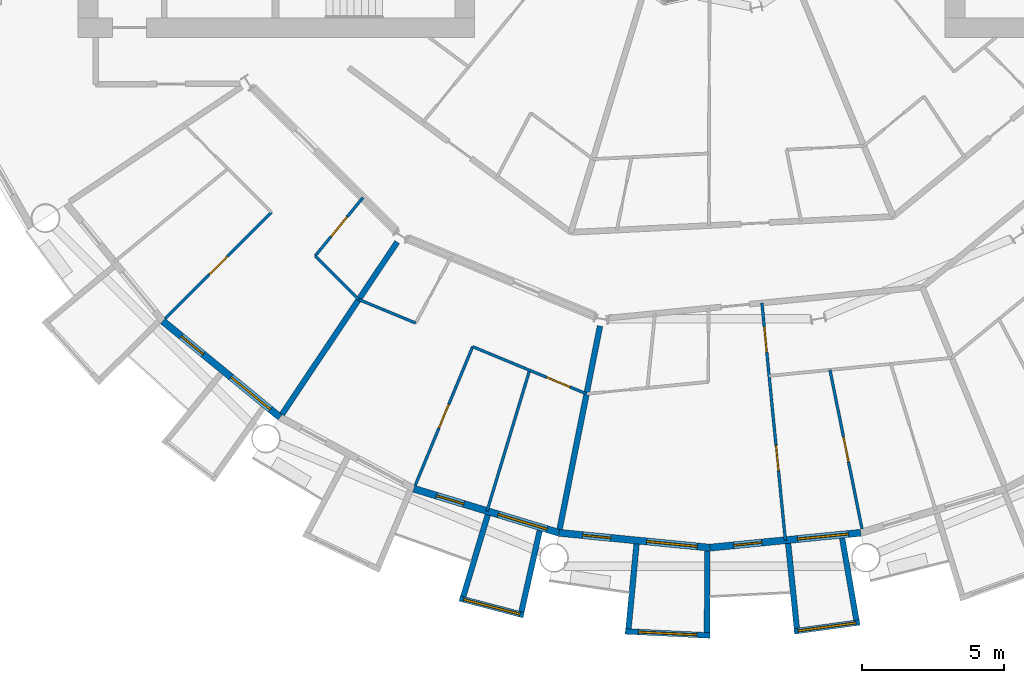
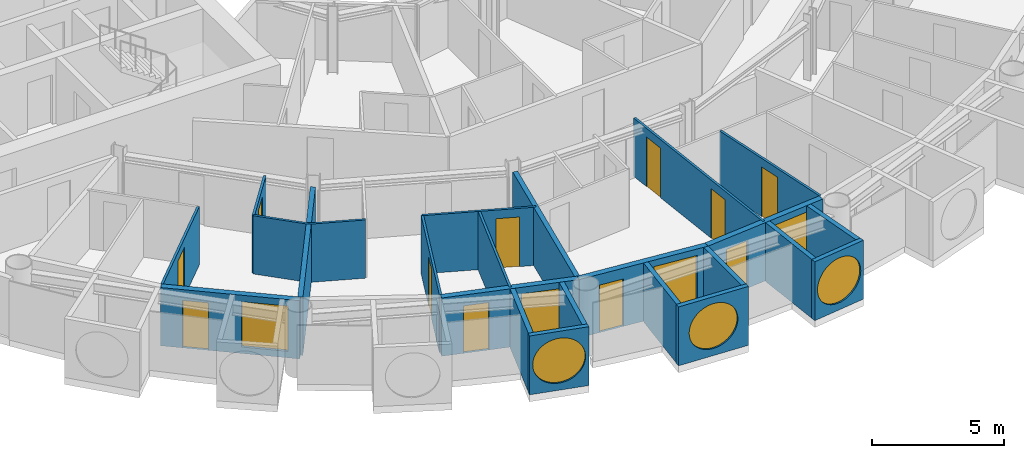
# One storey, part 13 of 26: 24 walls, 11 doors, 7 windows, 18 openings.
"""IFC4 building model written with IfcOpenShell, lengths in metres."""

from ifc_helpers import new_model, si_unit, direction, frame, frame_2d, origin, place, context, subcontext, project, spatial, rectangle, circle, extrude, material, layer, layer_set, type_object, element, fill, save


model = new_model("IFC4")

# Units and contexts
model_context = context("Model", 3, precision=1e-05, world=origin(), true_north=direction((0.0, 1.0)))
body_context = subcontext(model_context, "Body", "Model", "MODEL_VIEW")
ifc_project = project(units=[si_unit("LENGTHUNIT", "METRE"), si_unit("AREAUNIT", "SQUARE_METRE"), si_unit("VOLUMEUNIT", "CUBIC_METRE"), si_unit("PLANEANGLEUNIT", "RADIAN"), si_unit("MASSUNIT", "GRAM", prefix="KILO")], contexts=[model_context])

# Site, building, storey
site_placement = place(None, origin())
site = spatial("IfcSite", under=ifc_project, at=site_placement, CompositionType="ELEMENT")
building_placement = place(site_placement, origin())
building = spatial("IfcBuilding", under=site, at=building_placement, Name="Maasbend Ring Residences", CompositionType="ELEMENT")
storey_placement = place(building_placement, frame((0.0, 0.0, 66.64990234375)))
storey = spatial("IfcBuildingStorey", under=building, at=storey_placement, Name="L18", CompositionType="ELEMENT", Elevation=66.64990234375)

# Wall, opening, window
ifc_material_1 = material(Name="Pale anodised aluminium panel", Category="aluminium")
ifc_layer_1 = layer(ifc_material_1, 0.199951171875)
ifc_layer_set_1 = layer_set([ifc_layer_1], Name="EW-BOX")
wall_type_1 = type_object("IfcWallType", Name="EW-BOX", PredefinedType="SOLIDWALL", material=ifc_layer_set_1)
wall_1_placement = place(storey_placement, frame((-8.827880859375, -29.090087890625, -0.02978515625), z_axis=(0.0, 0.0, 1.0), x_axis=(0.967377102346, -0.253340762326, 0.0)))
wall_1 = element("IfcWall", 1, at=wall_1_placement, inside=storey, type_object=wall_type_1, Name="Box front S08", PredefinedType="SOLIDWALL", context=body_context, shape_type="SweptSolid", body=[
    extrude(rectangle(XDim=2.3359375, YDim=0.199951171875, at=frame_2d((1.16796875, 0.0))), origin(), (0.0, 0.0, 1.0), 2.72998046875),
])
opening_1_placement = place(wall_1_placement, frame((0.128173828125, 0.0, 0.330078125)))
opening_1 = element("IfcOpeningElement", 2, at=opening_1_placement, cuts=wall_1, Name="Opening W-RD", PredefinedType="OPENING", context=body_context, shape_type="SweptSolid", body=[
    extrude(circle(Radius=1.0400390625, at=frame_2d((1.0400390625, 1.0400390625))), frame((0.0, 0.10986328125, 0.0), z_axis=(0.0, -1.0, 0.0), x_axis=(1.0, 0.0, 0.0)), (0.0, 0.0, 1.0), 0.219970703125),
])
ifc_material_2 = material(Name="Aluminium and clear glass", Category="aluminium")
window_type_1 = type_object("IfcWindowType", Name="W-RD", PartitioningType="SINGLE_PANEL", PredefinedType="WINDOW", material=ifc_material_2)
window_1_placement = place(opening_1_placement, origin())
window_1 = element("IfcWindow", 3, at=window_1_placement, inside=storey, type_object=window_type_1, Name="Round window S08", OverallHeight=2.080078125, OverallWidth=2.080078125, PartitioningType="SINGLE_PANEL", PredefinedType="WINDOW", context=body_context, shape_type="SweptSolid", body=[
    extrude(circle(Radius=1.0400390625, at=frame_2d((1.0400390625, 1.0400390625))), frame((0.0, 0.030029296875, 0.0), z_axis=(0.0, -1.0, 0.0), x_axis=(1.0, 0.0, 0.0)), (0.0, 0.0, 1.0), 0.06005859375),
])
fill(opening_1, window_1)

# Walls
wall_2_placement = place(storey_placement, frame((-7.8369140625, -26.14404296875, -0.02978515625), z_axis=(0.0, 0.0, 1.0), x_axis=(-0.287064767992, -0.957911174889, 0.0)))
element("IfcWall", 4, at=wall_2_placement, inside=storey, type_object=wall_type_1, Name="Box side wall S08 left", PredefinedType="SOLIDWALL", context=body_context, shape_type="SweptSolid", body=[
    extrude(rectangle(XDim=3.00634765625, YDim=0.199951171875, at=frame_2d((1.503173828125, 0.0))), origin(), (0.0, 0.0, 1.0), 2.72998046875),
])
wall_3_placement = place(storey_placement, frame((-6.00390625, -26.699951171875, -0.02978515625), z_axis=(0.0, 0.0, 1.0), x_axis=(-0.219609259383, -0.975587911566, 0.0)))
element("IfcWall", 5, at=wall_3_placement, inside=storey, type_object=wall_type_1, Name="Box side wall S08 right", PredefinedType="SOLIDWALL", context=body_context, shape_type="SweptSolid", body=[
    extrude(rectangle(XDim=2.9326171875, YDim=0.199951171875, at=frame_2d((1.46630859375, 0.0))), origin(), (0.0, 0.0, 1.0), 2.72998046875),
])

# Wall, opening, window
wall_4_placement = place(storey_placement, frame((-2.985107421875, -30.2529296875, -0.02978515625), z_axis=(0.0, 0.0, 1.0), x_axis=(0.998794083011, -0.049095618353, 0.0)))
wall_4 = element("IfcWall", 6, at=wall_4_placement, inside=storey, type_object=wall_type_1, Name="Box front S10", PredefinedType="SOLIDWALL", context=body_context, shape_type="SweptSolid", body=[
    extrude(rectangle(XDim=2.99365234375, YDim=0.199951171875, at=frame_2d((1.496826171875, 0.0))), origin(), (0.0, 0.0, 1.0), 2.72998046875),
])
opening_2_placement = place(wall_4_placement, frame((0.45654296875, 0.0, 0.330078125)))
opening_2 = element("IfcOpeningElement", 7, at=opening_2_placement, cuts=wall_4, Name="Opening W-RD", PredefinedType="OPENING", context=body_context, shape_type="SweptSolid", body=[
    extrude(circle(Radius=1.0400390625, at=frame_2d((1.0400390625, 1.0400390625))), frame((0.0, 0.10986328125, 0.0), z_axis=(0.0, -1.0, 0.0), x_axis=(1.0, 0.0, 0.0)), (0.0, 0.0, 1.0), 0.219970703125),
])
window_2_placement = place(opening_2_placement, origin())
window_2 = element("IfcWindow", 8, at=window_2_placement, inside=storey, type_object=window_type_1, Name="Round window S10", OverallHeight=2.080078125, OverallWidth=2.080078125, PartitioningType="SINGLE_PANEL", PredefinedType="WINDOW", context=body_context, shape_type="SweptSolid", body=[
    extrude(circle(Radius=1.0400390625, at=frame_2d((1.0400390625, 1.0400390625))), frame((0.0, 0.030029296875, 0.0), z_axis=(0.0, -1.0, 0.0), x_axis=(1.0, 0.0, 0.0)), (0.0, 0.0, 1.0), 0.06005859375),
])
fill(opening_2, window_2)

# Walls
wall_5_placement = place(storey_placement, frame((-2.5859375, -27.1708984375, -0.02978515625), z_axis=(0.0, 0.0, 1.0), x_axis=(-0.094548432284, -0.995520262954, 0.0)))
element("IfcWall", 9, at=wall_5_placement, inside=storey, type_object=wall_type_1, Name="Box side wall S10 left", PredefinedType="SOLIDWALL", context=body_context, shape_type="SweptSolid", body=[
    extrude(rectangle(XDim=3.005615234375, YDim=0.199951171875, at=frame_2d((1.5029296875, 0.0))), origin(), (0.0, 0.0, 1.0), 2.72998046875),
])
wall_6_placement = place(storey_placement, frame((-0.090087890625, -27.4169921875, -0.02978515625), z_axis=(0.0, 0.0, 1.0), x_axis=(-0.00347308367, -0.999993968827, 0.0)))
element("IfcWall", 10, at=wall_6_placement, inside=storey, type_object=wall_type_1, Name="Box side wall S10 right", PredefinedType="SOLIDWALL", context=body_context, shape_type="SweptSolid", body=[
    extrude(rectangle(XDim=2.882080078125, YDim=0.199951171875, at=frame_2d((1.44091796875, 0.0))), origin(), (0.0, 0.0, 1.0), 2.72998046875),
])

# Wall, opening, window
wall_7_placement = place(storey_placement, frame((2.97607421875, -30.25390625, -0.02978515625), z_axis=(0.0, 0.0, 1.0), x_axis=(0.990696111261, 0.136092671119, 0.0)))
wall_7 = element("IfcWall", 11, at=wall_7_placement, inside=storey, type_object=wall_type_1, Name="Box front S12", PredefinedType="SOLIDWALL", context=body_context, shape_type="SweptSolid", body=[
    extrude(rectangle(XDim=2.335693359375, YDim=0.199951171875, at=frame_2d((1.16796875, 0.0))), origin(), (0.0, 0.0, 1.0), 2.72998046875),
])
opening_3_placement = place(wall_7_placement, frame((0.128173828125, 0.0, 0.330078125)))
opening_3 = element("IfcOpeningElement", 12, at=opening_3_placement, cuts=wall_7, Name="Opening W-RD", PredefinedType="OPENING", context=body_context, shape_type="SweptSolid", body=[
    extrude(circle(Radius=1.0400390625, at=frame_2d((1.0400390625, 1.0400390625))), frame((0.0, 0.10986328125, 0.0), z_axis=(0.0, -1.0, 0.0), x_axis=(1.0, 0.0, 0.0)), (0.0, 0.0, 1.0), 0.219970703125),
])
window_3_placement = place(opening_3_placement, origin())
window_3 = element("IfcWindow", 13, at=window_3_placement, inside=storey, type_object=window_type_1, Name="Round window S12", OverallHeight=2.080078125, OverallWidth=2.080078125, PartitioningType="SINGLE_PANEL", PredefinedType="WINDOW", context=body_context, shape_type="SweptSolid", body=[
    extrude(circle(Radius=1.0400390625, at=frame_2d((1.0400390625, 1.0400390625))), frame((0.0, 0.030029296875, 0.0), z_axis=(0.0, -1.0, 0.0), x_axis=(1.0, 0.0, 0.0)), (0.0, 0.0, 1.0), 0.06005859375),
])
fill(opening_3, window_3)

# Walls
wall_8_placement = place(storey_placement, frame((2.763916015625, -27.153076171875, -0.02978515625), z_axis=(0.0, 0.0, 1.0), x_axis=(0.101505487237, -0.994834979311, 0.0)))
element("IfcWall", 14, at=wall_8_placement, inside=storey, type_object=wall_type_1, Name="Box side wall S12 left", PredefinedType="SOLIDWALL", context=body_context, shape_type="SweptSolid", body=[
    extrude(rectangle(XDim=3.006591796875, YDim=0.199951171875, at=frame_2d((1.50341796875, 0.0))), origin(), (0.0, 0.0, 1.0), 2.72998046875),
])
wall_9_placement = place(storey_placement, frame((4.6708984375, -26.966064453125, -0.02978515625), z_axis=(0.0, 0.0, 1.0), x_axis=(0.170539878907, -0.985350774954, 0.0)))
element("IfcWall", 15, at=wall_9_placement, inside=storey, type_object=wall_type_1, Name="Box side wall S12 right", PredefinedType="SOLIDWALL", context=body_context, shape_type="SweptSolid", body=[
    extrude(rectangle(XDim=2.931884765625, YDim=0.199951171875, at=frame_2d((1.4658203125, 0.0))), origin(), (0.0, 0.0, 1.0), 2.72998046875),
])

# Wall, openings, door, window
ifc_material_3 = material(Name="Aluminium clad insulated panel", Category="aluminium")
ifc_layer_2 = layer(ifc_material_3, 0.25)
ifc_layer_set_2 = layer_set([ifc_layer_2], Name="EW-GL")
wall_type_2 = type_object("IfcWallType", Name="EW-GL", PredefinedType="SOLIDWALL", material=ifc_layer_set_2)
wall_10_placement = place(storey_placement, frame((-19.303955078125, -19.303955078125, 0.0), z_axis=(0.0, 0.0, 1.0), x_axis=(0.773019449054, -0.634382322723, 0.0)))
wall_10 = element("IfcWall", 16, at=wall_10_placement, inside=storey, type_object=wall_type_2, Name="External wall S02", PredefinedType="SOLIDWALL", context=body_context, shape_type="SweptSolid", body=[
    extrude(rectangle(XDim=5.351806640625, YDim=0.25, at=frame_2d((2.67578125, 0.0))), origin(), (0.0, 0.0, 1.0), 2.7001953125),
])
opening_4_placement = place(wall_10_placement, frame((0.841064453125, 0.0, 0.0)))
opening_4 = element("IfcOpeningElement", 17, at=opening_4_placement, cuts=wall_10, Name="Opening D-LG", PredefinedType="OPENING", context=body_context, shape_type="SweptSolid", body=[
    extrude(rectangle(XDim=1.0, YDim=2.199951171875, at=frame_2d((0.5, 1.10009765625))), frame((0.0, 0.135009765625, 0.0), z_axis=(0.0, -1.0, 0.0), x_axis=(1.0, 0.0, 0.0)), (0.0, 0.0, 1.0), 0.27001953125),
])
opening_5_placement = place(wall_10_placement, frame((3.110595703125, 0.0, 0.300048828125)))
opening_5 = element("IfcOpeningElement", 18, at=opening_5_placement, cuts=wall_10, Name="Opening W-BX", PredefinedType="OPENING", context=body_context, shape_type="SweptSolid", body=[
    extrude(rectangle(XDim=1.800048828125, YDim=2.10009765625, at=frame_2d((0.89990234375, 1.050048828125))), frame((0.0, 0.135009765625, 0.0), z_axis=(0.0, -1.0, 0.0), x_axis=(1.0, 0.0, 0.0)), (0.0, 0.0, 1.0), 0.27001953125),
])
ifc_material_4 = material(Name="Aluminium and clear glass", Category="aluminium")
door_type_1 = type_object("IfcDoorType", Name="D-LG", OperationType="SINGLE_SWING_LEFT", PredefinedType="DOOR", material=ifc_material_4)
door_1_placement = place(opening_4_placement, origin())
door_1 = element("IfcDoor", 19, at=door_1_placement, inside=storey, type_object=door_type_1, Name="Loggia door S03", OperationType="SINGLE_SWING_LEFT", OverallHeight=2.199951171875, OverallWidth=1.0, PredefinedType="DOOR", context=body_context, shape_type="SweptSolid", body=[
    extrude(rectangle(XDim=1.0, YDim=2.199951171875, at=frame_2d((0.5, 1.10009765625))), frame((0.0, 0.02490234375, 0.0), z_axis=(0.0, -1.0, 0.0), x_axis=(1.0, 0.0, 0.0)), (0.0, 0.0, 1.0), 0.050048828125),
])
fill(opening_4, door_1)
ifc_material_5 = material(Name="Aluminium and clear glass", Category="aluminium")
window_type_2 = type_object("IfcWindowType", Name="W-BX", PartitioningType="DOUBLE_PANEL_VERTICAL", PredefinedType="WINDOW", material=ifc_material_5)
window_4_placement = place(opening_5_placement, origin())
window_4 = element("IfcWindow", 20, at=window_4_placement, inside=storey, type_object=window_type_2, Name="Window S04 room to box", OverallHeight=2.10009765625, OverallWidth=1.800048828125, PartitioningType="SINGLE_PANEL", PredefinedType="WINDOW", context=body_context, shape_type="SweptSolid", body=[
    extrude(rectangle(XDim=1.800048828125, YDim=2.10009765625, at=frame_2d((0.89990234375, 1.050048828125))), frame((0.0, 0.030029296875, 0.0), z_axis=(0.0, -1.0, 0.0), x_axis=(1.0, 0.0, 0.0)), (0.0, 0.0, 1.0), 0.06005859375),
])
fill(opening_5, window_4)

wall_11_placement = place(storey_placement, frame((-10.447021484375, -25.221923828125, 0.0), z_axis=(0.0, 0.0, 1.0), x_axis=(0.956965678721, -0.290201119486, 0.0)))
wall_11 = element("IfcWall", 21, at=wall_11_placement, inside=storey, type_object=wall_type_2, Name="External wall S04", PredefinedType="SOLIDWALL", context=body_context, shape_type="SweptSolid", body=[
    extrude(rectangle(XDim=5.351318359375, YDim=0.25, at=frame_2d((2.67578125, 0.0))), origin(), (0.0, 0.0, 1.0), 2.7001953125),
])
opening_6_placement = place(wall_11_placement, frame((0.841064453125, 0.0, 0.0)))
opening_6 = element("IfcOpeningElement", 22, at=opening_6_placement, cuts=wall_11, Name="Opening D-LG", PredefinedType="OPENING", context=body_context, shape_type="SweptSolid", body=[
    extrude(rectangle(XDim=1.0, YDim=2.199951171875, at=frame_2d((0.5, 1.10009765625))), frame((0.0, 0.135009765625, 0.0), z_axis=(0.0, -1.0, 0.0), x_axis=(1.0, 0.0, 0.0)), (0.0, 0.0, 1.0), 0.27001953125),
])
opening_7_placement = place(wall_11_placement, frame((3.110595703125, 0.0, 0.300048828125)))
opening_7 = element("IfcOpeningElement", 23, at=opening_7_placement, cuts=wall_11, Name="Opening W-BX", PredefinedType="OPENING", context=body_context, shape_type="SweptSolid", body=[
    extrude(rectangle(XDim=1.800048828125, YDim=2.10009765625, at=frame_2d((0.89990234375, 1.050048828125))), frame((0.0, 0.135009765625, 0.0), z_axis=(0.0, -1.0, 0.0), x_axis=(1.0, 0.0, 0.0)), (0.0, 0.0, 1.0), 0.27001953125),
])
door_2_placement = place(opening_6_placement, origin())
door_2 = element("IfcDoor", 24, at=door_2_placement, inside=storey, type_object=door_type_1, Name="Loggia door S07", OperationType="SINGLE_SWING_LEFT", OverallHeight=2.199951171875, OverallWidth=1.0, PredefinedType="DOOR", context=body_context, shape_type="SweptSolid", body=[
    extrude(rectangle(XDim=1.0, YDim=2.199951171875, at=frame_2d((0.5, 1.10009765625))), frame((0.0, 0.02490234375, 0.0), z_axis=(0.0, -1.0, 0.0), x_axis=(1.0, 0.0, 0.0)), (0.0, 0.0, 1.0), 0.050048828125),
])
fill(opening_6, door_2)
window_5_placement = place(opening_7_placement, origin())
window_5 = element("IfcWindow", 25, at=window_5_placement, inside=storey, type_object=window_type_2, Name="Window S08 room to box", OverallHeight=2.10009765625, OverallWidth=1.800048828125, PartitioningType="SINGLE_PANEL", PredefinedType="WINDOW", context=body_context, shape_type="SweptSolid", body=[
    extrude(rectangle(XDim=1.800048828125, YDim=2.10009765625, at=frame_2d((0.89990234375, 1.050048828125))), frame((0.0, 0.030029296875, 0.0), z_axis=(0.0, -1.0, 0.0), x_axis=(1.0, 0.0, 0.0)), (0.0, 0.0, 1.0), 0.06005859375),
])
fill(opening_7, window_5)

wall_12_placement = place(storey_placement, frame((-5.325927734375, -26.77490234375, 0.0), z_axis=(0.0, 0.0, 1.0), x_axis=(0.995173996315, -0.098126026407, 0.0)))
wall_12 = element("IfcWall", 26, at=wall_12_placement, inside=storey, type_object=wall_type_2, Name="External wall S05", PredefinedType="SOLIDWALL", context=body_context, shape_type="SweptSolid", body=[
    extrude(rectangle(XDim=5.351806640625, YDim=0.25, at=frame_2d((2.67578125, 0.0))), origin(), (0.0, 0.0, 1.0), 2.7001953125),
])
opening_8_placement = place(wall_12_placement, frame((0.841064453125, 0.0, 0.0)))
opening_8 = element("IfcOpeningElement", 27, at=opening_8_placement, cuts=wall_12, Name="Opening D-LG", PredefinedType="OPENING", context=body_context, shape_type="SweptSolid", body=[
    extrude(rectangle(XDim=1.0, YDim=2.199951171875, at=frame_2d((0.5, 1.10009765625))), frame((0.0, 0.135009765625, 0.0), z_axis=(0.0, -1.0, 0.0), x_axis=(1.0, 0.0, 0.0)), (0.0, 0.0, 1.0), 0.27001953125),
])
opening_9_placement = place(wall_12_placement, frame((3.110595703125, 0.0, 0.300048828125)))
opening_9 = element("IfcOpeningElement", 28, at=opening_9_placement, cuts=wall_12, Name="Opening W-BX", PredefinedType="OPENING", context=body_context, shape_type="SweptSolid", body=[
    extrude(rectangle(XDim=1.800048828125, YDim=2.10009765625, at=frame_2d((0.89990234375, 1.050048828125))), frame((0.0, 0.135009765625, 0.0), z_axis=(0.0, -1.0, 0.0), x_axis=(1.0, 0.0, 0.0)), (0.0, 0.0, 1.0), 0.27001953125),
])
door_3_placement = place(opening_8_placement, origin())
door_3 = element("IfcDoor", 29, at=door_3_placement, inside=storey, type_object=door_type_1, Name="Loggia door S09", OperationType="SINGLE_SWING_LEFT", OverallHeight=2.199951171875, OverallWidth=1.0, PredefinedType="DOOR", context=body_context, shape_type="SweptSolid", body=[
    extrude(rectangle(XDim=1.0, YDim=2.199951171875, at=frame_2d((0.5, 1.10009765625))), frame((0.0, 0.02490234375, 0.0), z_axis=(0.0, -1.0, 0.0), x_axis=(1.0, 0.0, 0.0)), (0.0, 0.0, 1.0), 0.050048828125),
])
fill(opening_8, door_3)
window_6_placement = place(opening_9_placement, origin())
window_6 = element("IfcWindow", 30, at=window_6_placement, inside=storey, type_object=window_type_2, Name="Window S10 room to box", OverallHeight=2.10009765625, OverallWidth=1.800048828125, PartitioningType="SINGLE_PANEL", PredefinedType="WINDOW", context=body_context, shape_type="SweptSolid", body=[
    extrude(rectangle(XDim=1.800048828125, YDim=2.10009765625, at=frame_2d((0.89990234375, 1.050048828125))), frame((0.0, 0.030029296875, 0.0), z_axis=(0.0, -1.0, 0.0), x_axis=(1.0, 0.0, 0.0)), (0.0, 0.0, 1.0), 0.06005859375),
])
fill(opening_9, window_6)

wall_13_placement = place(storey_placement, frame((0.0, -27.300048828125, 0.0), z_axis=(0.0, 0.0, 1.0), x_axis=(0.995173996315, 0.098126026407, 0.0)))
wall_13 = element("IfcWall", 31, at=wall_13_placement, inside=storey, type_object=wall_type_2, Name="External wall S06", PredefinedType="SOLIDWALL", context=body_context, shape_type="SweptSolid", body=[
    extrude(rectangle(XDim=5.351806640625, YDim=0.25, at=frame_2d((2.67578125, 0.0))), origin(), (0.0, 0.0, 1.0), 2.7001953125),
])
opening_10_placement = place(wall_13_placement, frame((0.841064453125, 0.0, 0.0)))
opening_10 = element("IfcOpeningElement", 32, at=opening_10_placement, cuts=wall_13, Name="Opening D-LG", PredefinedType="OPENING", context=body_context, shape_type="SweptSolid", body=[
    extrude(rectangle(XDim=1.0, YDim=2.199951171875, at=frame_2d((0.5, 1.10009765625))), frame((0.0, 0.135009765625, 0.0), z_axis=(0.0, -1.0, 0.0), x_axis=(1.0, 0.0, 0.0)), (0.0, 0.0, 1.0), 0.27001953125),
])
opening_11_placement = place(wall_13_placement, frame((3.110595703125, 0.0, 0.300048828125)))
opening_11 = element("IfcOpeningElement", 33, at=opening_11_placement, cuts=wall_13, Name="Opening W-BX", PredefinedType="OPENING", context=body_context, shape_type="SweptSolid", body=[
    extrude(rectangle(XDim=1.800048828125, YDim=2.10009765625, at=frame_2d((0.89990234375, 1.050048828125))), frame((0.0, 0.135009765625, 0.0), z_axis=(0.0, -1.0, 0.0), x_axis=(1.0, 0.0, 0.0)), (0.0, 0.0, 1.0), 0.27001953125),
])
door_4_placement = place(opening_10_placement, origin())
door_4 = element("IfcDoor", 34, at=door_4_placement, inside=storey, type_object=door_type_1, Name="Loggia door S11", OperationType="SINGLE_SWING_LEFT", OverallHeight=2.199951171875, OverallWidth=1.0, PredefinedType="DOOR", context=body_context, shape_type="SweptSolid", body=[
    extrude(rectangle(XDim=1.0, YDim=2.199951171875, at=frame_2d((0.5, 1.10009765625))), frame((0.0, 0.02490234375, 0.0), z_axis=(0.0, -1.0, 0.0), x_axis=(1.0, 0.0, 0.0)), (0.0, 0.0, 1.0), 0.050048828125),
])
fill(opening_10, door_4)
window_7_placement = place(opening_11_placement, origin())
window_7 = element("IfcWindow", 35, at=window_7_placement, inside=storey, type_object=window_type_2, Name="Window S12 room to box", OverallHeight=2.10009765625, OverallWidth=1.800048828125, PartitioningType="SINGLE_PANEL", PredefinedType="WINDOW", context=body_context, shape_type="SweptSolid", body=[
    extrude(rectangle(XDim=1.800048828125, YDim=2.10009765625, at=frame_2d((0.89990234375, 1.050048828125))), frame((0.0, 0.030029296875, 0.0), z_axis=(0.0, -1.0, 0.0), x_axis=(1.0, 0.0, 0.0)), (0.0, 0.0, 1.0), 0.06005859375),
])
fill(opening_11, window_7)

# Walls
ifc_material_6 = material(Name="Gypsum board on steel studs", Category="steel")
ifc_layer_3 = layer(ifc_material_6, 0.10009765625)
ifc_layer_set_3 = layer_set([ifc_layer_3], Name="PARTITION 100 GYPSUM")
wall_type_3 = type_object("IfcWallType", Name="PARTITION 100 GYPSUM", PredefinedType="PARTITIONING", material=ifc_layer_set_3)
wall_14_placement = place(storey_placement, frame((-13.927001953125, -17.00390625, 0.0), z_axis=(0.0, 0.0, 1.0), x_axis=(0.707106781187, -0.707106781187, 0.0)))
element("IfcWall", 36, at=wall_14_placement, inside=storey, type_object=wall_type_3, Name="U-L18-w002", PredefinedType="PARTITIONING", context=body_context, shape_type="SweptSolid", body=[
    extrude(rectangle(XDim=2.17529296875, YDim=0.10009765625, at=frame_2d((1.087646484375, 0.0))), origin(), (0.0, 0.0, 1.0), 2.7001953125),
])
wall_15_placement = place(storey_placement, frame((-12.39208984375, -18.541015625, 0.0), z_axis=(0.0, 0.0, 1.0), x_axis=(0.923901895183, -0.382629439638, 0.0)))
element("IfcWall", 37, at=wall_15_placement, inside=storey, type_object=wall_type_3, Name="U-L18-w003", PredefinedType="PARTITIONING", context=body_context, shape_type="SweptSolid", body=[
    extrude(rectangle(XDim=2.174560546875, YDim=0.10009765625, at=frame_2d((1.08740234375, 0.0))), origin(), (0.0, 0.0, 1.0), 2.7001953125),
])

# Wall, opening, door
wall_16_placement = place(storey_placement, frame((-8.3759765625, -20.2041015625, 0.0), z_axis=(0.0, 0.0, 1.0), x_axis=(0.92378218199, -0.382918372814, 0.0)))
wall_16 = element("IfcWall", 38, at=wall_16_placement, inside=storey, type_object=wall_type_3, Name="U-L18-w004", PredefinedType="PARTITIONING", context=body_context, shape_type="SweptSolid", body=[
    extrude(rectangle(XDim=4.363525390625, YDim=0.10009765625, at=frame_2d((2.181640625, 0.0))), origin(), (0.0, 0.0, 1.0), 2.7001953125),
])
opening_12_placement = place(wall_16_placement, frame((2.822998046875, 0.0, 0.0)))
opening_12 = element("IfcOpeningElement", 39, at=opening_12_placement, cuts=wall_16, Name="Opening D-1842", PredefinedType="OPENING", context=body_context, shape_type="SweptSolid", body=[
    extrude(rectangle(XDim=0.89990234375, YDim=2.300048828125, at=frame_2d((0.449951171875, 1.14990234375))), frame((0.0, 0.06005859375, 0.0), z_axis=(0.0, -1.0, 0.0), x_axis=(1.0, 0.0, 0.0)), (0.0, 0.0, 1.0), 0.1201171875),
])
ifc_material_7 = material(Name="Timber, painted", Category="wood")
door_type_2 = type_object("IfcDoorType", Name="INTERNAL DOOR 900 X 2300", OperationType="NOTDEFINED", PredefinedType="DOOR", material=ifc_material_7)
door_5_placement = place(opening_12_placement, origin())
door_5 = element("IfcDoor", 40, at=door_5_placement, inside=storey, type_object=door_type_2, Name="D-1842", OperationType="SINGLE_SWING_RIGHT", OverallHeight=2.300048828125, OverallWidth=0.89990234375, PredefinedType="DOOR", context=body_context, shape_type="SweptSolid", body=[
    extrude(rectangle(XDim=0.89990234375, YDim=2.300048828125, at=frame_2d((0.449951171875, 1.14990234375))), frame((0.0, 0.02490234375, 0.0), z_axis=(0.0, -1.0, 0.0), x_axis=(1.0, 0.0, 0.0)), (0.0, 0.0, 1.0), 0.050048828125),
])
fill(opening_12, door_5)

# Wall, openings, doors
wall_17_placement = place(storey_placement, frame((1.837890625, -18.666015625, 0.0), z_axis=(0.0, 0.0, 1.0), x_axis=(0.098366640075, -0.995150241984, 0.0)))
wall_17 = element("IfcWall", 41, at=wall_17_placement, inside=storey, type_object=wall_type_3, Name="U-L18-w028", PredefinedType="PARTITIONING", context=body_context, shape_type="SweptSolid", body=[
    extrude(rectangle(XDim=8.418701171875, YDim=0.10009765625, at=frame_2d((4.20947265625, 0.0))), origin(), (0.0, 0.0, 1.0), 2.7001953125),
])
opening_13_placement = place(wall_17_placement, frame((0.842041015625, 0.0, 0.0)))
opening_13 = element("IfcOpeningElement", 42, at=opening_13_placement, cuts=wall_17, Name="Opening D-1846", PredefinedType="OPENING", context=body_context, shape_type="SweptSolid", body=[
    extrude(rectangle(XDim=0.89990234375, YDim=2.300048828125, at=frame_2d((0.449951171875, 1.14990234375))), frame((0.0, 0.06005859375, 0.0), z_axis=(0.0, -1.0, 0.0), x_axis=(1.0, 0.0, 0.0)), (0.0, 0.0, 1.0), 0.1201171875),
])
opening_14_placement = place(wall_17_placement, frame((5.051025390625, 0.0, 0.0)))
opening_14 = element("IfcOpeningElement", 43, at=opening_14_placement, cuts=wall_17, Name="Opening D-1847", PredefinedType="OPENING", context=body_context, shape_type="SweptSolid", body=[
    extrude(rectangle(XDim=0.89990234375, YDim=2.300048828125, at=frame_2d((0.449951171875, 1.14990234375))), frame((0.0, 0.06005859375, 0.0), z_axis=(0.0, -1.0, 0.0), x_axis=(1.0, 0.0, 0.0)), (0.0, 0.0, 1.0), 0.1201171875),
])
door_6_placement = place(opening_13_placement, origin())
door_6 = element("IfcDoor", 44, at=door_6_placement, inside=storey, type_object=door_type_2, Name="D-1846", OperationType="SINGLE_SWING_LEFT", OverallHeight=2.300048828125, OverallWidth=0.89990234375, PredefinedType="DOOR", context=body_context, shape_type="SweptSolid", body=[
    extrude(rectangle(XDim=0.89990234375, YDim=2.300048828125, at=frame_2d((0.449951171875, 1.14990234375))), frame((0.0, 0.02490234375, 0.0), z_axis=(0.0, -1.0, 0.0), x_axis=(1.0, 0.0, 0.0)), (0.0, 0.0, 1.0), 0.050048828125),
])
fill(opening_13, door_6)
door_7_placement = place(opening_14_placement, origin())
door_7 = element("IfcDoor", 45, at=door_7_placement, inside=storey, type_object=door_type_2, Name="D-1847", OperationType="SINGLE_SWING_RIGHT", OverallHeight=2.300048828125, OverallWidth=0.89990234375, PredefinedType="DOOR", context=body_context, shape_type="SweptSolid", body=[
    extrude(rectangle(XDim=0.89990234375, YDim=2.300048828125, at=frame_2d((0.449951171875, 1.14990234375))), frame((0.0, 0.02490234375, 0.0), z_axis=(0.0, -1.0, 0.0), x_axis=(1.0, 0.0, 0.0)), (0.0, 0.0, 1.0), 0.050048828125),
])
fill(opening_14, door_7)

# Wall, opening, door
wall_18_placement = place(storey_placement, frame((-19.216064453125, -19.216064453125, 0.0), z_axis=(0.0, 0.0, 1.0), x_axis=(0.707106781187, 0.707106781187, 0.0)))
wall_18 = element("IfcWall", 46, at=wall_18_placement, inside=storey, type_object=wall_type_3, Name="U-L18-w032", PredefinedType="PARTITIONING", context=body_context, shape_type="SweptSolid", body=[
    extrude(rectangle(XDim=5.3046875, YDim=0.10009765625, at=frame_2d((2.65234375, 0.0))), origin(), (0.0, 0.0, 1.0), 2.7001953125),
])
opening_15_placement = place(wall_18_placement, frame((2.201904296875, 0.0, 0.0)))
opening_15 = element("IfcOpeningElement", 47, at=opening_15_placement, cuts=wall_18, Name="Opening D-1837", PredefinedType="OPENING", context=body_context, shape_type="SweptSolid", body=[
    extrude(rectangle(XDim=0.89990234375, YDim=2.300048828125, at=frame_2d((0.449951171875, 1.14990234375))), frame((0.0, 0.06005859375, 0.0), z_axis=(0.0, -1.0, 0.0), x_axis=(1.0, 0.0, 0.0)), (0.0, 0.0, 1.0), 0.1201171875),
])
door_8_placement = place(opening_15_placement, origin())
door_8 = element("IfcDoor", 48, at=door_8_placement, inside=storey, type_object=door_type_2, Name="D-1837", OperationType="SINGLE_SWING_LEFT", OverallHeight=2.300048828125, OverallWidth=0.89990234375, PredefinedType="DOOR", context=body_context, shape_type="SweptSolid", body=[
    extrude(rectangle(XDim=0.89990234375, YDim=2.300048828125, at=frame_2d((0.449951171875, 1.14990234375))), frame((0.0, 0.02490234375, 0.0), z_axis=(0.0, -1.0, 0.0), x_axis=(1.0, 0.0, 0.0)), (0.0, 0.0, 1.0), 0.050048828125),
])
fill(opening_15, door_8)

wall_19_placement = place(storey_placement, frame((-13.927001953125, -17.00390625, 0.0), z_axis=(0.0, 0.0, 1.0), x_axis=(0.633582447834, 0.77367517848, 0.0)))
wall_19 = element("IfcWall", 49, at=wall_19_placement, inside=storey, type_object=wall_type_3, Name="U-L18-w038", PredefinedType="PARTITIONING", context=body_context, shape_type="SweptSolid", body=[
    extrude(rectangle(XDim=2.6611328125, YDim=0.10009765625, at=frame_2d((1.33056640625, 0.0))), origin(), (0.0, 0.0, 1.0), 2.7001953125),
])
opening_16_placement = place(wall_19_placement, frame((0.881103515625, 0.0, 0.0)))
opening_16 = element("IfcOpeningElement", 50, at=opening_16_placement, cuts=wall_19, Name="Opening D-1836", PredefinedType="OPENING", context=body_context, shape_type="SweptSolid", body=[
    extrude(rectangle(XDim=0.89990234375, YDim=2.300048828125, at=frame_2d((0.449951171875, 1.14990234375))), frame((0.0, 0.06005859375, 0.0), z_axis=(0.0, -1.0, 0.0), x_axis=(1.0, 0.0, 0.0)), (0.0, 0.0, 1.0), 0.1201171875),
])
door_9_placement = place(opening_16_placement, origin())
door_9 = element("IfcDoor", 51, at=door_9_placement, inside=storey, type_object=door_type_2, Name="D-1836", OperationType="SINGLE_SWING_RIGHT", OverallHeight=2.300048828125, OverallWidth=0.89990234375, PredefinedType="DOOR", context=body_context, shape_type="SweptSolid", body=[
    extrude(rectangle(XDim=0.89990234375, YDim=2.300048828125, at=frame_2d((0.449951171875, 1.14990234375))), frame((0.0, 0.02490234375, 0.0), z_axis=(0.0, -1.0, 0.0), x_axis=(1.0, 0.0, 0.0)), (0.0, 0.0, 1.0), 0.050048828125),
])
fill(opening_16, door_9)

wall_20_placement = place(storey_placement, frame((-10.39892578125, -25.10595703125, 0.0), z_axis=(0.0, 0.0, 1.0), x_axis=(0.382620183578, 0.92390572848, 0.0)))
wall_20 = element("IfcWall", 52, at=wall_20_placement, inside=storey, type_object=wall_type_3, Name="U-L18-w040", PredefinedType="PARTITIONING", context=body_context, shape_type="SweptSolid", body=[
    extrude(rectangle(XDim=5.302490234375, YDim=0.10009765625, at=frame_2d((2.6513671875, 0.0))), origin(), (0.0, 0.0, 1.0), 2.7001953125),
])
opening_17_placement = place(wall_20_placement, frame((2.200927734375, 0.0, 0.0)))
opening_17 = element("IfcOpeningElement", 53, at=opening_17_placement, cuts=wall_20, Name="Opening D-1841", PredefinedType="OPENING", context=body_context, shape_type="SweptSolid", body=[
    extrude(rectangle(XDim=0.89990234375, YDim=2.300048828125, at=frame_2d((0.449951171875, 1.14990234375))), frame((0.0, 0.06005859375, 0.0), z_axis=(0.0, -1.0, 0.0), x_axis=(1.0, 0.0, 0.0)), (0.0, 0.0, 1.0), 0.1201171875),
])
door_10_placement = place(opening_17_placement, origin())
door_10 = element("IfcDoor", 54, at=door_10_placement, inside=storey, type_object=door_type_2, Name="D-1841", OperationType="SINGLE_SWING_LEFT", OverallHeight=2.300048828125, OverallWidth=0.89990234375, PredefinedType="DOOR", context=body_context, shape_type="SweptSolid", body=[
    extrude(rectangle(XDim=0.89990234375, YDim=2.300048828125, at=frame_2d((0.449951171875, 1.14990234375))), frame((0.0, 0.02490234375, 0.0), z_axis=(0.0, -1.0, 0.0), x_axis=(1.0, 0.0, 0.0)), (0.0, 0.0, 1.0), 0.050048828125),
])
fill(opening_17, door_10)

# Wall
wall_21_placement = place(storey_placement, frame((-7.864013671875, -26.011962890625, 0.0), z_axis=(0.0, 0.0, 1.0), x_axis=(0.289472609969, 0.957186297477, 0.0)))
element("IfcWall", 55, at=wall_21_placement, inside=storey, type_object=wall_type_3, Name="U-L18-w045", PredefinedType="PARTITIONING", context=body_context, shape_type="SweptSolid", body=[
    extrude(rectangle(XDim=5.1953125, YDim=0.10009765625, at=frame_2d((2.59765625, 0.0))), origin(), (0.0, 0.0, 1.0), 2.7001953125),
])

# Wall, opening, door
wall_22_placement = place(storey_placement, frame((4.239013671875, -21.02587890625, 0.0), z_axis=(0.0, 0.0, 1.0), x_axis=(0.197706555414, -0.980261249844, 0.0)))
wall_22 = element("IfcWall", 56, at=wall_22_placement, inside=storey, type_object=wall_type_3, Name="U-L18-w068", PredefinedType="PARTITIONING", context=body_context, shape_type="SweptSolid", body=[
    extrude(rectangle(XDim=5.72607421875, YDim=0.10009765625, at=frame_2d((2.863037109375, 0.0))), origin(), (0.0, 0.0, 1.0), 2.7001953125),
])
opening_18_placement = place(wall_22_placement, frame((2.4130859375, 0.0, 0.0)))
opening_18 = element("IfcOpeningElement", 57, at=opening_18_placement, cuts=wall_22, Name="Opening D-1848", PredefinedType="OPENING", context=body_context, shape_type="SweptSolid", body=[
    extrude(rectangle(XDim=0.89990234375, YDim=2.300048828125, at=frame_2d((0.449951171875, 1.14990234375))), frame((0.0, 0.06005859375, 0.0), z_axis=(0.0, -1.0, 0.0), x_axis=(1.0, 0.0, 0.0)), (0.0, 0.0, 1.0), 0.1201171875),
])
door_11_placement = place(opening_18_placement, origin())
door_11 = element("IfcDoor", 58, at=door_11_placement, inside=storey, type_object=door_type_2, Name="D-1848", OperationType="SINGLE_SWING_RIGHT", OverallHeight=2.300048828125, OverallWidth=0.89990234375, PredefinedType="DOOR", context=body_context, shape_type="SweptSolid", body=[
    extrude(rectangle(XDim=0.89990234375, YDim=2.300048828125, at=frame_2d((0.449951171875, 1.14990234375))), frame((0.0, 0.02490234375, 0.0), z_axis=(0.0, -1.0, 0.0), x_axis=(1.0, 0.0, 0.0)), (0.0, 0.0, 1.0), 0.050048828125),
])
fill(opening_18, door_11)

# Walls
ifc_material_8 = material(Name="Concrete C30/37", Category="concrete")
ifc_layer_4 = layer(ifc_material_8, 0.199951171875)
ifc_layer_set_4 = layer_set([ifc_layer_4], Name="Concrete C30/37")
wall_type_4 = type_object("IfcWallType", Name="PARTY WALL 200 CONCRETE", PredefinedType="PARTITIONING", material=ifc_layer_set_4)
wall_23_placement = place(storey_placement, frame((-15.097900390625, -22.594970703125, 0.0), z_axis=(0.0, 0.0, 1.0), x_axis=(0.555701298605, 0.831382022135, 0.0)))
element("IfcWall", 59, at=wall_23_placement, inside=storey, type_object=wall_type_4, Name="U-L18-w036", PredefinedType="PARTITIONING", context=body_context, shape_type="SweptSolid", body=[
    extrude(rectangle(XDim=7.313232421875, YDim=0.199951171875, at=frame_2d((3.65673828125, 0.0))), origin(), (0.0, 0.0, 1.0), 2.7001953125),
])
wall_24_placement = place(storey_placement, frame((-5.302001953125, -26.653076171875, 0.0), z_axis=(0.0, 0.0, 1.0), x_axis=(0.195114589291, 0.98078045303, 0.0)))
element("IfcWall", 60, at=wall_24_placement, inside=storey, type_object=wall_type_4, Name="U-L18-w049", PredefinedType="PARTITIONING", context=body_context, shape_type="SweptSolid", body=[
    extrude(rectangle(XDim=7.313720703125, YDim=0.199951171875, at=frame_2d((3.65673828125, 0.0))), origin(), (0.0, 0.0, 1.0), 2.7001953125),
])

save(model, "model.ifc")
